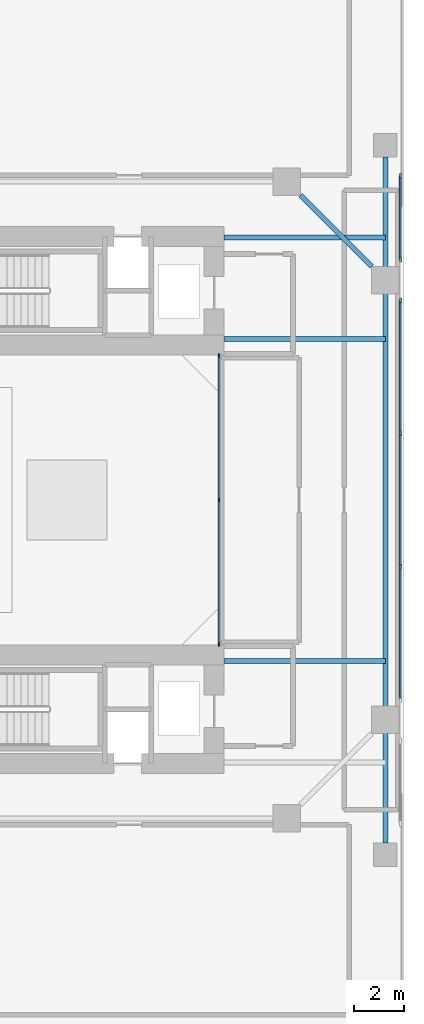
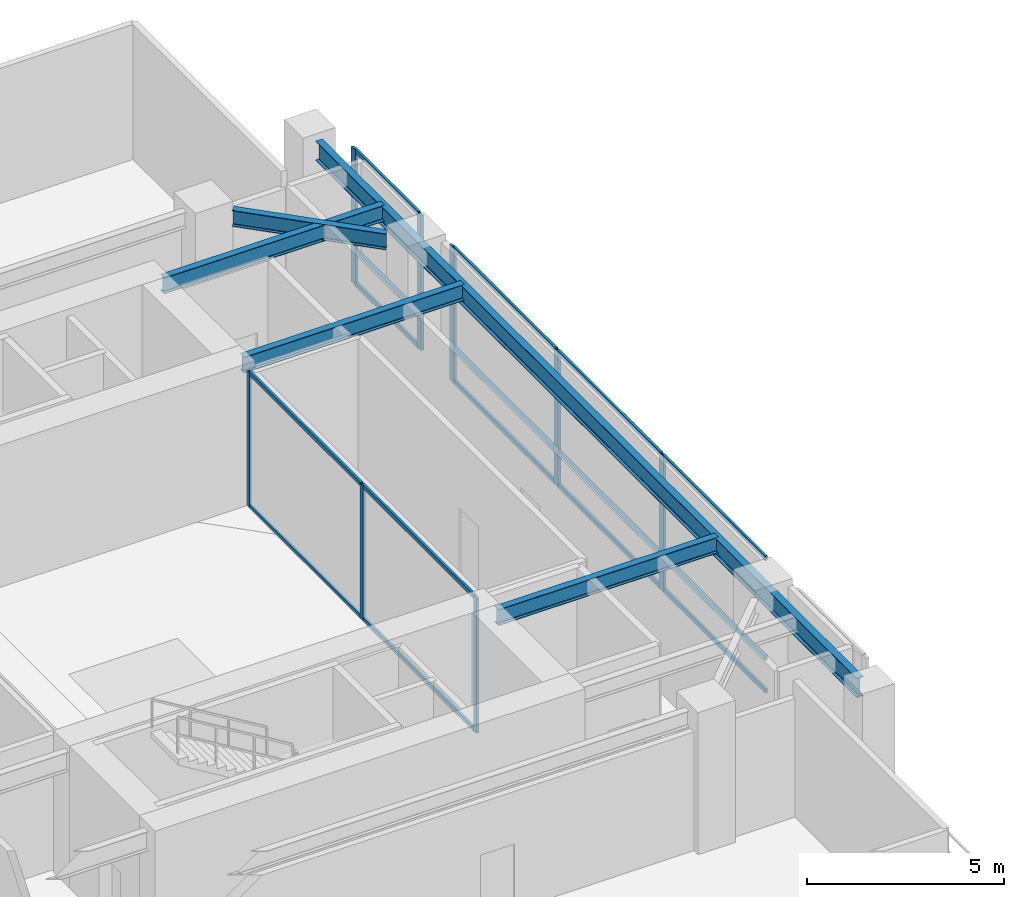
# One storey, part 8 of 19: 24 members, 5 beams, 3 elements without a shape of their own.
"""IFC4 building model written with IfcOpenShell, lengths in metres."""

from ifc_helpers import new_model, si_unit, direction, frame, origin, origin_2d, place, context, subcontext, project, spatial, rectangle, i_section, extrude, source, transform, mapped, material, layer, layer_set, material_profile, profile_set, type_object, element, aggregate, save


model = new_model("IFC4")

# Units and contexts
model_context = context("Model", 3, precision=1e-05, world=origin(), true_north=direction((0.0, 1.0)))
body_context = subcontext(model_context, "Body", "Model", "MODEL_VIEW")
ifc_project = project(units=[si_unit("LENGTHUNIT", "METRE"), si_unit("AREAUNIT", "SQUARE_METRE"), si_unit("VOLUMEUNIT", "CUBIC_METRE"), si_unit("PLANEANGLEUNIT", "RADIAN"), si_unit("MASSUNIT", "GRAM", prefix="KILO"), si_unit("THERMODYNAMICTEMPERATUREUNIT", "KELVIN"), si_unit("POWERUNIT", "WATT")], contexts=[model_context])

# Site, building, storey
site_placement = place(None, origin())
site = spatial("IfcSite", under=ifc_project, at=site_placement, CompositionType="ELEMENT")
building_placement = place(site_placement, origin())
building = spatial("IfcBuilding", under=site, at=building_placement, Name="Qiaomeng Ring Towers", CompositionType="ELEMENT")
storey_placement = place(building_placement, frame((0.0, 0.0, 5.0)))
storey = spatial("IfcBuildingStorey", under=building, at=storey_placement, Name="L01", CompositionType="ELEMENT", Elevation=5.0)

# Beams
ifc_material_1 = material(Name="Steel Q355B", Category="steel")
ifc_material_profile_1 = material_profile(ifc_material_1, i_section(OverallWidth=0.199951171875, OverallDepth=0.60009765625, WebThickness=0.010986328125, FlangeThickness=0.01708984375, FilletRadius=0.02197265625, at=origin_2d()), Name="HN 600x200x11x17")
ifc_profile_set_1 = profile_set([ifc_material_profile_1], Name="Steel Q355B")
beam_type_1 = type_object("IfcBeamType", Name="STR-BM-HN600", PredefinedType="BEAM", material=ifc_profile_set_1)
shared_shape_1 = source(origin(), body_context, "Body", "SweptSolid", [
    extrude(i_section(OverallWidth=0.199951171875, OverallDepth=0.60009765625, WebThickness=0.010986328125, FlangeThickness=0.01708984375, FilletRadius=0.02197265625, at=origin_2d()), origin(), (0.0, 0.0, 1.0), 27.4521484375),
])
beam_1_placement = place(storey_placement, frame((73.25, 9.27392578125, 3.8798828125), z_axis=(0.0, 1.0, 0.0), x_axis=(-1.0, 0.0, 0.0)))
element("IfcBeam", 1, at=beam_1_placement, inside=storey, type_object=beam_type_1, Name="L01 beam STR-SP-L01-EL", PredefinedType="BEAM", context=body_context, shape_type="MappedRepresentation", body=[
    mapped(shared_shape_1, transform((0.0, 0.0, 0.0), x_axis=(1.0, 0.0, 0.0), y_axis=(0.0, 1.0, 0.0), z_axis=(0.0, 0.0, 1.0), scale=1.0)),
])
ifc_material_profile_2 = material_profile(ifc_material_1, i_section(OverallWidth=0.199951171875, OverallDepth=0.5, WebThickness=0.010009765625, FlangeThickness=0.01611328125, FilletRadius=0.02001953125, at=origin_2d()), Name="HN 500x200x10x16")
ifc_profile_set_2 = profile_set([ifc_material_profile_2], Name="Steel Q355B")
beam_type_2 = type_object("IfcBeamType", Name="STR-BM-HN500", PredefinedType="BEAM", material=ifc_profile_set_2)
shared_shape_2 = source(origin(), body_context, "Body", "SweptSolid", [
    extrude(i_section(OverallWidth=0.199951171875, OverallDepth=0.5, WebThickness=0.010009765625, FlangeThickness=0.01611328125, FilletRadius=0.02001953125, at=origin_2d()), origin(), (0.0, 0.0, 1.0), 4.032470703125),
])
beam_2_placement = place(storey_placement, frame((72.70068359375, 32.349365234375, 3.929931640625), z_axis=(-0.707106781187, 0.707106781187, 0.0), x_axis=(-0.707106781187, -0.707106781187, 0.0)))
element("IfcBeam", 2, at=beam_2_placement, inside=storey, type_object=beam_type_2, Name="L01 beam STR-SP-L01-T2-4", PredefinedType="BEAM", context=body_context, shape_type="MappedRepresentation", body=[
    mapped(shared_shape_2, transform((0.0, 0.0, 0.0), x_axis=(1.0, 0.0, 0.0), y_axis=(0.0, 1.0, 0.0), z_axis=(0.0, 0.0, 1.0), scale=1.0)),
])
shared_shape_3 = source(origin(), body_context, "Body", "SweptSolid", [
    extrude(i_section(OverallWidth=0.199951171875, OverallDepth=0.5, WebThickness=0.010009765625, FlangeThickness=0.01611328125, FilletRadius=0.02001953125, at=origin_2d()), origin(), (0.0, 0.0, 1.0), 6.449951171875),
])
for number, where, z_axis, x_axis, name in (
    (3, (66.800048828125, 16.550048828125, 3.929931640625), (1.0, 0.0, 0.0), (0.0, 1.0, 0.0), "L01 beam STR-BM-L01-E-1"),
    (4, (66.800048828125, 29.449951171875, 3.929931640625), (1.0, 0.0, 0.0), (0.0, 1.0, 0.0), "L01 beam STR-BM-L01-E-2"),
    (5, (66.800048828125, 33.5, 3.929931640625), (1.0, 0.0, 0.0), (0.0, 1.0, 0.0), "L01 beam STR-BM-L01-E-3"),
):
    element("IfcBeam", number, at=place(storey_placement, frame(where, z_axis=z_axis, x_axis=x_axis)), inside=storey, type_object=beam_type_2, Name=name, PredefinedType="BEAM", context=body_context, shape_type="MappedRepresentation", body=[
        mapped(shared_shape_3, transform((0.0, 0.0, 0.0), x_axis=(1.0, 0.0, 0.0), y_axis=(0.0, 1.0, 0.0), z_axis=(0.0, 0.0, 1.0), scale=1.0)),
    ])

# Curtain wall, members
ifc_material_2 = material(Name="Fluorocarbon dark-grey aluminium", Category="aluminium")
ifc_layer_1 = layer(ifc_material_2, 0.179931640625, Name="Fluorocarbon dark-grey aluminium")
ifc_layer_set_1 = layer_set([ifc_layer_1], Name="Fluorocarbon dark-grey aluminium")
curtain_wall_type_1 = type_object("IfcCurtainWallType", Name="ARC-CW-1", PredefinedType="NOTDEFINED", material=ifc_layer_set_1)
curtain_wall_1_placement = place(storey_placement, origin())
curtain_wall_1 = element("IfcCurtainWall", 6, at=curtain_wall_1_placement, inside=storey, type_object=curtain_wall_type_1, Name="L01 Curtain Wall CW1", PredefinedType="NOTDEFINED")
ifc_material_profile_3 = material_profile(ifc_material_2, rectangle(XDim=0.070068359375, YDim=0.139892578125, at=origin_2d()), Name="ALU TRAN 70x140")
ifc_profile_set_3 = profile_set([ifc_material_profile_3], Name="Fluorocarbon dark-grey aluminium")
member_type_1 = type_object("IfcMemberType", Name="ARC-CWT-140", PredefinedType="USERDEFINED", material=ifc_profile_set_3)
shared_shape_4 = source(origin(), body_context, "Body", "SweptSolid", [
    extrude(rectangle(XDim=0.070068359375, YDim=0.139892578125, at=origin_2d()), origin(), (0.0, 0.0, 1.0), 5.219970703125),
])
member_1_placement = place(storey_placement, frame((73.85009765625, 15.070068359375, 0.034912109375), z_axis=(0.0, 1.0, 0.0), x_axis=(-1.0, 0.0, 0.0)))
member_1 = element("IfcMember", 7, at=member_1_placement, type_object=member_type_1, Name="CW1 transom 1.1", ObjectType="TRANSOM", PredefinedType="USERDEFINED", context=body_context, shape_type="MappedRepresentation", body=[
    mapped(shared_shape_4, transform((0.0, 0.0, 0.0), x_axis=(1.0, 0.0, 0.0), y_axis=(0.0, 1.0, 0.0), z_axis=(0.0, 0.0, 1.0), scale=1.0)),
])
member_2_placement = place(storey_placement, frame((73.85009765625, 15.070068359375, 1.050048828125), z_axis=(0.0, 1.0, 0.0), x_axis=(-1.0, 0.0, 0.0)))
member_2 = element("IfcMember", 8, at=member_2_placement, type_object=member_type_1, Name="CW1 transom 1.2", ObjectType="TRANSOM", PredefinedType="USERDEFINED", context=body_context, shape_type="MappedRepresentation", body=[
    mapped(shared_shape_4, transform((0.0, 0.0, 0.0), x_axis=(1.0, 0.0, 0.0), y_axis=(0.0, 1.0, 0.0), z_axis=(0.0, 0.0, 1.0), scale=1.0)),
])
member_3_placement = place(storey_placement, frame((73.85009765625, 15.070068359375, 4.14501953125), z_axis=(0.0, 1.0, 0.0), x_axis=(-1.0, 0.0, 0.0)))
member_3 = element("IfcMember", 9, at=member_3_placement, type_object=member_type_1, Name="CW1 transom 1.3", ObjectType="TRANSOM", PredefinedType="USERDEFINED", context=body_context, shape_type="MappedRepresentation", body=[
    mapped(shared_shape_4, transform((0.0, 0.0, 0.0), x_axis=(1.0, 0.0, 0.0), y_axis=(0.0, 1.0, 0.0), z_axis=(0.0, 0.0, 1.0), scale=1.0)),
])
member_4_placement = place(storey_placement, frame((73.85009765625, 25.7099609375, 0.034912109375), z_axis=(0.0, 1.0, 0.0), x_axis=(-1.0, 0.0, 0.0)))
member_4 = element("IfcMember", 10, at=member_4_placement, type_object=member_type_1, Name="CW1 transom 3.1", ObjectType="TRANSOM", PredefinedType="USERDEFINED", context=body_context, shape_type="MappedRepresentation", body=[
    mapped(shared_shape_4, transform((0.0, 0.0, 0.0), x_axis=(1.0, 0.0, 0.0), y_axis=(0.0, 1.0, 0.0), z_axis=(0.0, 0.0, 1.0), scale=1.0)),
])
member_5_placement = place(storey_placement, frame((73.85009765625, 25.7099609375, 1.050048828125), z_axis=(0.0, 1.0, 0.0), x_axis=(-1.0, 0.0, 0.0)))
member_5 = element("IfcMember", 11, at=member_5_placement, type_object=member_type_1, Name="CW1 transom 3.2", ObjectType="TRANSOM", PredefinedType="USERDEFINED", context=body_context, shape_type="MappedRepresentation", body=[
    mapped(shared_shape_4, transform((0.0, 0.0, 0.0), x_axis=(1.0, 0.0, 0.0), y_axis=(0.0, 1.0, 0.0), z_axis=(0.0, 0.0, 1.0), scale=1.0)),
])
member_6_placement = place(storey_placement, frame((73.85009765625, 25.7099609375, 4.14501953125), z_axis=(0.0, 1.0, 0.0), x_axis=(-1.0, 0.0, 0.0)))
member_6 = element("IfcMember", 12, at=member_6_placement, type_object=member_type_1, Name="CW1 transom 3.3", ObjectType="TRANSOM", PredefinedType="USERDEFINED", context=body_context, shape_type="MappedRepresentation", body=[
    mapped(shared_shape_4, transform((0.0, 0.0, 0.0), x_axis=(1.0, 0.0, 0.0), y_axis=(0.0, 1.0, 0.0), z_axis=(0.0, 0.0, 1.0), scale=1.0)),
])
shared_shape_5 = source(origin(), body_context, "Body", "SweptSolid", [
    extrude(rectangle(XDim=0.070068359375, YDim=0.139892578125, at=origin_2d()), origin(), (0.0, 0.0, 1.0), 5.259765625),
])
member_7_placement = place(storey_placement, frame((73.85009765625, 20.3701171875, 0.034912109375), z_axis=(0.0, 1.0, 0.0), x_axis=(-1.0, 0.0, 0.0)))
member_7 = element("IfcMember", 13, at=member_7_placement, type_object=member_type_1, Name="CW1 transom 2.1", ObjectType="TRANSOM", PredefinedType="USERDEFINED", context=body_context, shape_type="MappedRepresentation", body=[
    mapped(shared_shape_5, transform((0.0, 0.0, 0.0), x_axis=(1.0, 0.0, 0.0), y_axis=(0.0, 1.0, 0.0), z_axis=(0.0, 0.0, 1.0), scale=1.0)),
])
member_8_placement = place(storey_placement, frame((73.85009765625, 20.3701171875, 1.050048828125), z_axis=(0.0, 1.0, 0.0), x_axis=(-1.0, 0.0, 0.0)))
member_8 = element("IfcMember", 14, at=member_8_placement, type_object=member_type_1, Name="CW1 transom 2.2", ObjectType="TRANSOM", PredefinedType="USERDEFINED", context=body_context, shape_type="MappedRepresentation", body=[
    mapped(shared_shape_5, transform((0.0, 0.0, 0.0), x_axis=(1.0, 0.0, 0.0), y_axis=(0.0, 1.0, 0.0), z_axis=(0.0, 0.0, 1.0), scale=1.0)),
])
member_9_placement = place(storey_placement, frame((73.85009765625, 20.3701171875, 4.14501953125), z_axis=(0.0, 1.0, 0.0), x_axis=(-1.0, 0.0, 0.0)))
member_9 = element("IfcMember", 15, at=member_9_placement, type_object=member_type_1, Name="CW1 transom 2.3", ObjectType="TRANSOM", PredefinedType="USERDEFINED", context=body_context, shape_type="MappedRepresentation", body=[
    mapped(shared_shape_5, transform((0.0, 0.0, 0.0), x_axis=(1.0, 0.0, 0.0), y_axis=(0.0, 1.0, 0.0), z_axis=(0.0, 0.0, 1.0), scale=1.0)),
])
ifc_material_profile_4 = material_profile(ifc_material_2, rectangle(XDim=0.080078125, YDim=0.219970703125, at=origin_2d()), Name="ALU MULL 80x220")
ifc_profile_set_4 = profile_set([ifc_material_profile_4], Name="Fluorocarbon dark-grey aluminium")
member_type_2 = type_object("IfcMemberType", Name="ARC-CWM-180", PredefinedType="MULLION", material=ifc_profile_set_4)
shared_shape_6 = source(origin(), body_context, "Body", "SweptSolid", [
    extrude(rectangle(XDim=0.080078125, YDim=0.219970703125, at=origin_2d()), origin(), (0.0, 0.0, 1.0), 4.179931640625),
])
member_10_placement = place(storey_placement, frame((73.85009765625, 20.330078125, 0.0), z_axis=(0.0, 0.0, 1.0), x_axis=(-1.0, 0.0, 0.0)))
member_10 = element("IfcMember", 16, at=member_10_placement, type_object=member_type_2, Name="CW1 mullion 2", PredefinedType="MULLION", context=body_context, shape_type="MappedRepresentation", body=[
    mapped(shared_shape_6, transform((0.0, 0.0, 0.0), x_axis=(1.0, 0.0, 0.0), y_axis=(0.0, 1.0, 0.0), z_axis=(0.0, 0.0, 1.0), scale=1.0)),
])
member_11_placement = place(storey_placement, frame((73.85009765625, 25.669921875, 0.0), z_axis=(0.0, 0.0, 1.0), x_axis=(-1.0, 0.0, 0.0)))
member_11 = element("IfcMember", 17, at=member_11_placement, type_object=member_type_2, Name="CW1 mullion 3", PredefinedType="MULLION", context=body_context, shape_type="MappedRepresentation", body=[
    mapped(shared_shape_6, transform((0.0, 0.0, 0.0), x_axis=(1.0, 0.0, 0.0), y_axis=(0.0, 1.0, 0.0), z_axis=(0.0, 0.0, 1.0), scale=1.0)),
])
member_12_placement = place(storey_placement, frame((73.85009765625, 30.969970703125, 0.0), z_axis=(0.0, 0.0, 1.0), x_axis=(-1.0, 0.0, 0.0)))
member_12 = element("IfcMember", 18, at=member_12_placement, type_object=member_type_2, Name="CW1 mullion 4", PredefinedType="MULLION", context=body_context, shape_type="MappedRepresentation", body=[
    mapped(shared_shape_6, transform((0.0, 0.0, 0.0), x_axis=(1.0, 0.0, 0.0), y_axis=(0.0, 1.0, 0.0), z_axis=(0.0, 0.0, 1.0), scale=1.0)),
])
aggregate(curtain_wall_1, [member_10, member_11, member_12, member_1, member_2, member_3, member_7, member_8, member_9, member_4, member_5, member_6])

curtain_wall_2_placement = place(storey_placement, origin())
curtain_wall_2 = element("IfcCurtainWall", 19, at=curtain_wall_2_placement, inside=storey, type_object=curtain_wall_type_1, Name="L01 Curtain Wall CW1", PredefinedType="NOTDEFINED")
member_13_placement = place(storey_placement, frame((73.85009765625, 32.6298828125, 0.0), z_axis=(0.0, 0.0, 1.0), x_axis=(-1.0, 0.0, 0.0)))
member_13 = element("IfcMember", 20, at=member_13_placement, type_object=member_type_2, Name="CW1 mullion 1", PredefinedType="MULLION", context=body_context, shape_type="MappedRepresentation", body=[
    mapped(shared_shape_6, transform((0.0, 0.0, 0.0), x_axis=(1.0, 0.0, 0.0), y_axis=(0.0, 1.0, 0.0), z_axis=(0.0, 0.0, 1.0), scale=1.0)),
])
member_14_placement = place(storey_placement, frame((73.85009765625, 35.9599609375, 0.0), z_axis=(0.0, 0.0, 1.0), x_axis=(-1.0, 0.0, 0.0)))
member_14 = element("IfcMember", 21, at=member_14_placement, type_object=member_type_2, Name="CW1 mullion 2", PredefinedType="MULLION", context=body_context, shape_type="MappedRepresentation", body=[
    mapped(shared_shape_6, transform((0.0, 0.0, 0.0), x_axis=(1.0, 0.0, 0.0), y_axis=(0.0, 1.0, 0.0), z_axis=(0.0, 0.0, 1.0), scale=1.0)),
])
shared_shape_7 = source(origin(), body_context, "Body", "SweptSolid", [
    extrude(rectangle(XDim=0.070068359375, YDim=0.139892578125, at=origin_2d()), origin(), (0.0, 0.0, 1.0), 3.25),
])
member_15_placement = place(storey_placement, frame((73.85009765625, 32.669921875, 0.034912109375), z_axis=(0.0, 1.0, 0.0), x_axis=(-1.0, 0.0, 0.0)))
member_15 = element("IfcMember", 22, at=member_15_placement, type_object=member_type_1, Name="CW1 transom 1.1", ObjectType="TRANSOM", PredefinedType="USERDEFINED", context=body_context, shape_type="MappedRepresentation", body=[
    mapped(shared_shape_7, transform((0.0, 0.0, 0.0), x_axis=(1.0, 0.0, 0.0), y_axis=(0.0, 1.0, 0.0), z_axis=(0.0, 0.0, 1.0), scale=1.0)),
])
member_16_placement = place(storey_placement, frame((73.85009765625, 32.669921875, 1.050048828125), z_axis=(0.0, 1.0, 0.0), x_axis=(-1.0, 0.0, 0.0)))
member_16 = element("IfcMember", 23, at=member_16_placement, type_object=member_type_1, Name="CW1 transom 1.2", ObjectType="TRANSOM", PredefinedType="USERDEFINED", context=body_context, shape_type="MappedRepresentation", body=[
    mapped(shared_shape_7, transform((0.0, 0.0, 0.0), x_axis=(1.0, 0.0, 0.0), y_axis=(0.0, 1.0, 0.0), z_axis=(0.0, 0.0, 1.0), scale=1.0)),
])
member_17_placement = place(storey_placement, frame((73.85009765625, 32.669921875, 4.14501953125), z_axis=(0.0, 1.0, 0.0), x_axis=(-1.0, 0.0, 0.0)))
member_17 = element("IfcMember", 24, at=member_17_placement, type_object=member_type_1, Name="CW1 transom 1.3", ObjectType="TRANSOM", PredefinedType="USERDEFINED", context=body_context, shape_type="MappedRepresentation", body=[
    mapped(shared_shape_7, transform((0.0, 0.0, 0.0), x_axis=(1.0, 0.0, 0.0), y_axis=(0.0, 1.0, 0.0), z_axis=(0.0, 0.0, 1.0), scale=1.0)),
])
aggregate(curtain_wall_2, [member_13, member_14, member_15, member_16, member_17])

ifc_layer_2 = layer(ifc_material_2, 0.139892578125, Name="Fluorocarbon dark-grey aluminium")
ifc_layer_set_2 = layer_set([ifc_layer_2], Name="Fluorocarbon dark-grey aluminium")
curtain_wall_type_2 = type_object("IfcCurtainWallType", Name="ARC-CW-4", PredefinedType="NOTDEFINED", material=ifc_layer_set_2)
curtain_wall_3_placement = place(storey_placement, origin())
curtain_wall_3 = element("IfcCurtainWall", 25, at=curtain_wall_3_placement, inside=storey, type_object=curtain_wall_type_2, Name="L01 Curtain Wall CW4", PredefinedType="NOTDEFINED")
ifc_material_profile_5 = material_profile(ifc_material_2, rectangle(XDim=0.06494140625, YDim=0.159912109375, at=origin_2d()), Name="ALU MULL 65x160")
ifc_profile_set_5 = profile_set([ifc_material_profile_5], Name="Fluorocarbon dark-grey aluminium")
member_type_3 = type_object("IfcMemberType", Name="ARC-CWM-140", PredefinedType="MULLION", material=ifc_profile_set_5)
shared_shape_8 = source(origin(), body_context, "Body", "SweptSolid", [
    extrude(rectangle(XDim=0.06494140625, YDim=0.159912109375, at=origin_2d()), origin(), (0.0, 0.0, 1.0), 4.179931640625),
])
member_18_placement = place(storey_placement, frame((66.60009765625, 17.232421875, 0.0), z_axis=(0.0, 0.0, 1.0), x_axis=(-1.0, 0.0, 0.0)))
member_18 = element("IfcMember", 26, at=member_18_placement, type_object=member_type_3, Name="CW4 mullion 1", PredefinedType="MULLION", context=body_context, shape_type="MappedRepresentation", body=[
    mapped(shared_shape_8, transform((0.0, 0.0, 0.0), x_axis=(1.0, 0.0, 0.0), y_axis=(0.0, 1.0, 0.0), z_axis=(0.0, 0.0, 1.0), scale=1.0)),
])
member_19_placement = place(storey_placement, frame((66.60009765625, 23.0, 0.0), z_axis=(0.0, 0.0, 1.0), x_axis=(-1.0, 0.0, 0.0)))
member_19 = element("IfcMember", 27, at=member_19_placement, type_object=member_type_3, Name="CW4 mullion 2", PredefinedType="MULLION", context=body_context, shape_type="MappedRepresentation", body=[
    mapped(shared_shape_8, transform((0.0, 0.0, 0.0), x_axis=(1.0, 0.0, 0.0), y_axis=(0.0, 1.0, 0.0), z_axis=(0.0, 0.0, 1.0), scale=1.0)),
])
member_20_placement = place(storey_placement, frame((66.60009765625, 28.767578125, 0.0), z_axis=(0.0, 0.0, 1.0), x_axis=(-1.0, 0.0, 0.0)))
member_20 = element("IfcMember", 28, at=member_20_placement, type_object=member_type_3, Name="CW4 mullion 3", PredefinedType="MULLION", context=body_context, shape_type="MappedRepresentation", body=[
    mapped(shared_shape_8, transform((0.0, 0.0, 0.0), x_axis=(1.0, 0.0, 0.0), y_axis=(0.0, 1.0, 0.0), z_axis=(0.0, 0.0, 1.0), scale=1.0)),
])
ifc_material_profile_6 = material_profile(ifc_material_2, rectangle(XDim=0.06494140625, YDim=0.1298828125, at=origin_2d()), Name="ALU TRAN 65x130")
ifc_profile_set_6 = profile_set([ifc_material_profile_6], Name="Fluorocarbon dark-grey aluminium")
member_type_4 = type_object("IfcMemberType", Name="ARC-CWT-120", PredefinedType="USERDEFINED", material=ifc_profile_set_6)
shared_shape_9 = source(origin(), body_context, "Body", "SweptSolid", [
    extrude(rectangle(XDim=0.06494140625, YDim=0.1298828125, at=origin_2d()), origin(), (0.0, 0.0, 1.0), 5.70263671875),
])
member_21_placement = place(storey_placement, frame((66.60009765625, 17.264892578125, 0.032470703125), z_axis=(0.0, 1.0, 0.0), x_axis=(-1.0, 0.0, 0.0)))
member_21 = element("IfcMember", 29, at=member_21_placement, type_object=member_type_4, Name="CW4 transom 1.1", ObjectType="TRANSOM", PredefinedType="USERDEFINED", context=body_context, shape_type="MappedRepresentation", body=[
    mapped(shared_shape_9, transform((0.0, 0.0, 0.0), x_axis=(1.0, 0.0, 0.0), y_axis=(0.0, 1.0, 0.0), z_axis=(0.0, 0.0, 1.0), scale=1.0)),
])
member_22_placement = place(storey_placement, frame((66.60009765625, 17.264892578125, 4.1474609375), z_axis=(0.0, 1.0, 0.0), x_axis=(-1.0, 0.0, 0.0)))
member_22 = element("IfcMember", 30, at=member_22_placement, type_object=member_type_4, Name="CW4 transom 1.2", ObjectType="TRANSOM", PredefinedType="USERDEFINED", context=body_context, shape_type="MappedRepresentation", body=[
    mapped(shared_shape_9, transform((0.0, 0.0, 0.0), x_axis=(1.0, 0.0, 0.0), y_axis=(0.0, 1.0, 0.0), z_axis=(0.0, 0.0, 1.0), scale=1.0)),
])
member_23_placement = place(storey_placement, frame((66.60009765625, 23.032470703125, 0.032470703125), z_axis=(0.0, 1.0, 0.0), x_axis=(-1.0, 0.0, 0.0)))
member_23 = element("IfcMember", 31, at=member_23_placement, type_object=member_type_4, Name="CW4 transom 2.1", ObjectType="TRANSOM", PredefinedType="USERDEFINED", context=body_context, shape_type="MappedRepresentation", body=[
    mapped(shared_shape_9, transform((0.0, 0.0, 0.0), x_axis=(1.0, 0.0, 0.0), y_axis=(0.0, 1.0, 0.0), z_axis=(0.0, 0.0, 1.0), scale=1.0)),
])
member_24_placement = place(storey_placement, frame((66.60009765625, 23.032470703125, 4.1474609375), z_axis=(0.0, 1.0, 0.0), x_axis=(-1.0, 0.0, 0.0)))
member_24 = element("IfcMember", 32, at=member_24_placement, type_object=member_type_4, Name="CW4 transom 2.2", ObjectType="TRANSOM", PredefinedType="USERDEFINED", context=body_context, shape_type="MappedRepresentation", body=[
    mapped(shared_shape_9, transform((0.0, 0.0, 0.0), x_axis=(1.0, 0.0, 0.0), y_axis=(0.0, 1.0, 0.0), z_axis=(0.0, 0.0, 1.0), scale=1.0)),
])
aggregate(curtain_wall_3, [member_18, member_19, member_20, member_21, member_22, member_23, member_24])

save(model, "model.ifc")
